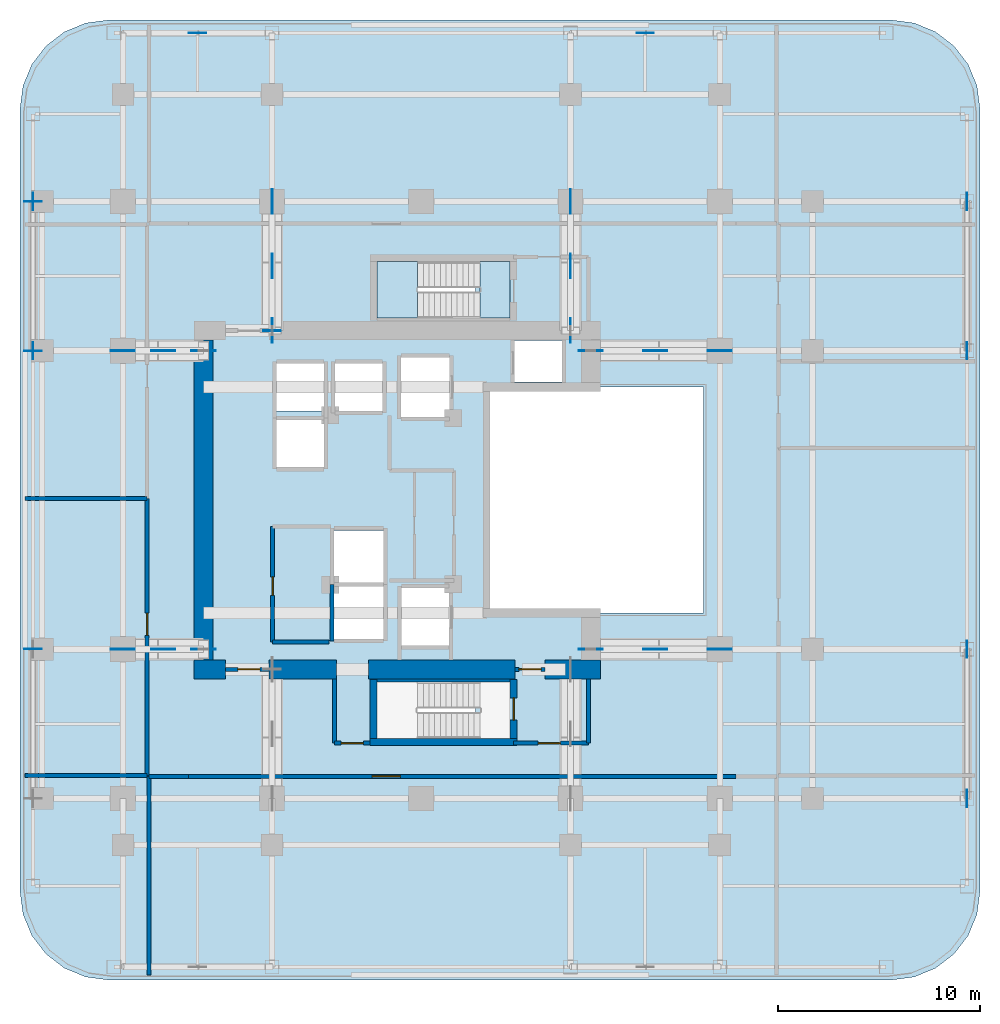
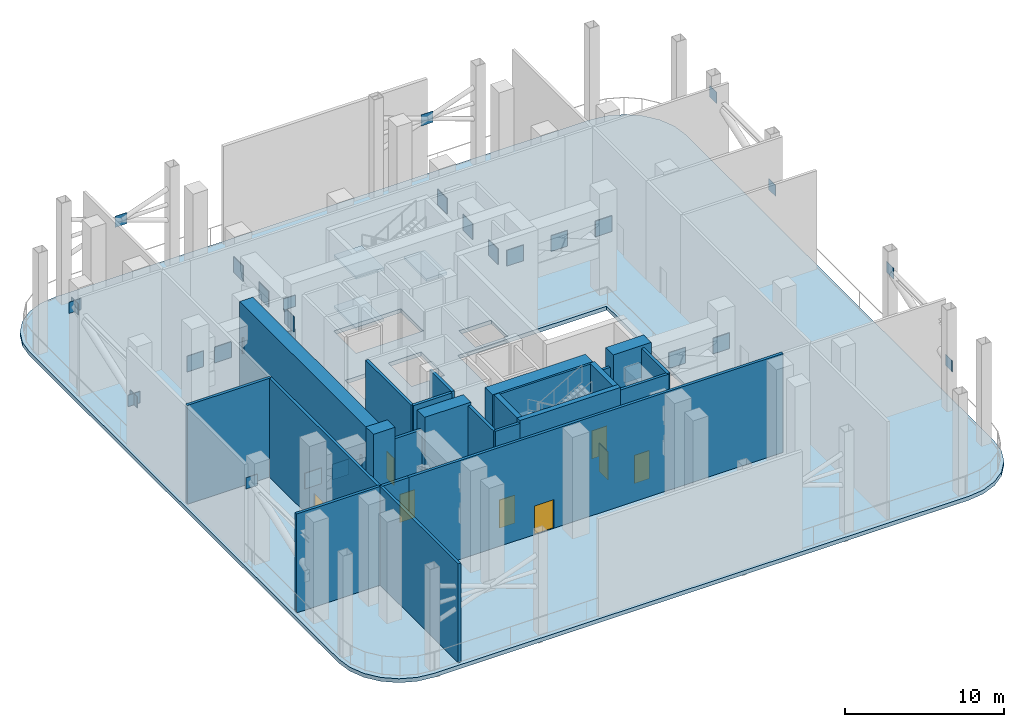
# One storey, part 4 of 10: 31 plates, 24 walls, 8 doors, 4 slabs, 8 openings, 1 element without a shape of its own.
"""IFC4 building model written with IfcOpenShell, lengths in metres."""

import ifcopenshell
import ifcopenshell.guid

model = None  # the IFC model being written
_history = None  # IfcOwnerHistory: only IFC2X3 demands one
_inside = {}  # id of a spatial element -> (the spatial element, [elements in it])
_under = {}  # id of a project, library or spatial element -> (it, [spatial elements below it])
_declared = {}  # id of a project -> (the project, [libraries it declares])
_typed = {}  # id of a type object -> (the type object, [elements of that type])
_made_of = {}  # id of a material, layer set ... -> (it, [elements and type objects made of it])


def new_model(schema):
    """Start an empty IFC model of exactly this schema.

    Asked for "IFC4X3", IfcOpenShell would pick the latest addendum, in which some entities
    have other attributes; the version numbers below select the first issue.
    IFC2X3 requires an IfcOwnerHistory on every rooted entity: one is made here for all.
    """
    global model, _history
    if schema == "IFC4X3":
        model = ifcopenshell.file(schema_version=(4, 3, 0, 0))
    else:
        model = ifcopenshell.file(schema=schema)
    _inside.clear()
    _under.clear()
    _declared.clear()
    _typed.clear()
    _made_of.clear()
    _history = None
    if model.schema == "IFC2X3":
        org = make("IfcOrganization", Name="unknown")
        user = make(
            "IfcPersonAndOrganization",
            ThePerson=make("IfcPerson", FamilyName="unknown"),
            TheOrganization=org,
        )
        app = make(
            "IfcApplication",
            ApplicationDeveloper=org,
            Version="unknown",
            ApplicationFullName="unknown",
            ApplicationIdentifier="unknown",
        )
        _history = make(
            "IfcOwnerHistory",
            OwningUser=user,
            OwningApplication=app,
            ChangeAction="ADDED",
            CreationDate=0,
        )
    return model


def make(cls, **values):
    """One entity of the class cls with the attributes given. An attribute that is None is left unset."""
    return model.create_entity(
        cls, **{name: value for name, value in values.items() if value is not None}
    )


def rooted(cls, **values):
    """An entity with a GlobalId (a new one), such as an element, a storey or a relation."""
    return make(cls, GlobalId=ifcopenshell.guid.new(), OwnerHistory=_history, **values)


def si_unit(unit_type, name, prefix=None):
    """IfcSIUnit, for example si_unit("LENGTHUNIT", "METRE", prefix="MILLI")."""
    return make("IfcSIUnit", UnitType=unit_type, Prefix=prefix, Name=name)


def assignment(units):
    """IfcUnitAssignment: the units of a project."""
    return None if units is None else make("IfcUnitAssignment", Units=units)


def point(xyz):
    """IfcCartesianPoint."""
    return None if xyz is None else make("IfcCartesianPoint", Coordinates=xyz)


def direction(xyz):
    """IfcDirection."""
    return None if xyz is None else make("IfcDirection", DirectionRatios=xyz)


def frame(location, z_axis=None, x_axis=None):
    """IfcAxis2Placement3D, a coordinate frame: its origin and axes. An axis left out is left unset."""
    return make(
        "IfcAxis2Placement3D",
        Location=point(location),
        Axis=direction(z_axis),
        RefDirection=direction(x_axis),
    )


def frame_2d(location, x_axis=None):
    """IfcAxis2Placement2D, a coordinate frame in the plane: its origin and x axis."""
    return make(
        "IfcAxis2Placement2D", Location=point(location), RefDirection=direction(x_axis)
    )


def origin():
    """The frame at (0, 0, 0) with its axes left unset."""
    return frame((0.0, 0.0, 0.0))


def origin_2d():
    """The frame at (0, 0) in the plane with its x axis left unset."""
    return frame_2d((0.0, 0.0))


def place(relative_to, where):
    """IfcLocalPlacement: puts the frame where relative to a parent placement (None: the world)."""
    return make(
        "IfcLocalPlacement", PlacementRelTo=relative_to, RelativePlacement=where
    )


def context(
    kind, dimensions, precision=None, world=None, true_north=None, identifier=None
):
    """IfcGeometricRepresentationContext, for example the 3D "Model" context."""
    return make(
        "IfcGeometricRepresentationContext",
        ContextIdentifier=identifier,
        ContextType=kind,
        CoordinateSpaceDimension=dimensions,
        Precision=precision,
        WorldCoordinateSystem=world,
        TrueNorth=true_north,
    )


def subcontext(parent, identifier, kind, view, scale=None):
    """IfcGeometricRepresentationSubContext, for example "Body" below "Model"."""
    return make(
        "IfcGeometricRepresentationSubContext",
        ContextIdentifier=identifier,
        ContextType=kind,
        ParentContext=parent,
        TargetScale=scale,
        TargetView=view,
    )


def project(units=None, contexts=None):
    """IfcProject with its units and contexts."""
    return rooted(
        "IfcProject",
        Name="project",
        RepresentationContexts=contexts,
        UnitsInContext=assignment(units),
    )


def spatial(cls, under=None, at=None, **own):
    """A site, building, storey or space (cls), placed at a placement, below another one or the project."""
    s = rooted(cls, ObjectPlacement=at, **own)
    if under is not None:
        _under.setdefault(under.id(), (under, []))[1].append(s)
    return s


def polyline(points):
    """IfcPolyline through the points."""
    return make("IfcPolyline", Points=[point(p) for p in points])


def profile(cls, at=None, kind="AREA", **sizes):
    """A parametric profile (cls). Its sizes go by their IFC names, for example OverallWidth=200.0."""
    return make(cls, ProfileType=kind, Position=at, **sizes)


def rectangle(**sizes):
    """IfcRectangleProfileDef."""
    return profile("IfcRectangleProfileDef", **sizes)


def outline(outer, holes=None, kind="AREA"):
    """IfcArbitraryClosedProfileDef: a profile drawn as a closed curve; with holes, ...WithVoids."""
    if holes is None:
        return make("IfcArbitraryClosedProfileDef", ProfileType=kind, OuterCurve=outer)
    return make(
        "IfcArbitraryProfileDefWithVoids",
        ProfileType=kind,
        OuterCurve=outer,
        InnerCurves=holes,
    )


def extrude(swept, where, along, depth):
    """IfcExtrudedAreaSolid: the profile swept, set in the frame where, extruded along a direction by depth."""
    return make(
        "IfcExtrudedAreaSolid",
        SweptArea=swept,
        Position=where,
        ExtrudedDirection=direction(along),
        Depth=depth,
    )


def shape(context_of_items, identifier, shape_type, items):
    """IfcShapeRepresentation: the items that make up one representation, for example the "Body"."""
    return make(
        "IfcShapeRepresentation",
        ContextOfItems=context_of_items,
        RepresentationIdentifier=identifier,
        RepresentationType=shape_type,
        Items=items,
    )


def material(Name=None, Category=None):
    """IfcMaterial."""
    return make("IfcMaterial", Name=Name, Category=Category)


def layer(
    of_material, thickness, ventilated=None, Name=None, Category=None, Priority=None
):
    """IfcMaterialLayer: one layer of a wall or slab, of a material (None: an air gap)."""
    return make(
        "IfcMaterialLayer",
        Material=of_material,
        LayerThickness=thickness,
        IsVentilated=ventilated,
        Name=Name,
        Category=Category,
        Priority=Priority,
    )


def layer_set(layers, Name=None):
    """IfcMaterialLayerSet."""
    return make("IfcMaterialLayerSet", MaterialLayers=layers, LayerSetName=Name)


def made_of(thing, what):
    """Note that an element or type object is made of a material, layer set ...; save() writes the relation."""
    if what is not None:
        _made_of.setdefault(what.id(), (what, []))[1].append(thing)
    return thing


def type_object(cls, material=None, **own):
    """A type object (cls), such as IfcWallType, which elements share."""
    return made_of(rooted(cls, **own), material)


def element(
    cls,
    number,
    at=None,
    inside=None,
    cuts=None,
    type_object=None,
    material=None,
    context=None,
    identifier="Body",
    shape_type=None,
    held_by="IfcProductDefinitionShape",
    body=None,
    shapes=None,
    **own,
):
    """One element of the class cls, such as IfcWall. Its Tag is "e" and its number.

    at: its placement. inside: the storey or other place that contains it. cuts: it is an
    opening in that element (IfcRelVoidsElement). A single representation is given by context,
    identifier, shape_type and body (its items); several are given by shapes. held_by: the class
    of the entity that holds the representations. save() writes the other relations.
    """
    e = rooted(cls, Tag="e%d" % number, ObjectPlacement=at, **own)
    if body is not None:
        shapes = [shape(context, identifier, shape_type, body)]
    if shapes is not None:
        e.Representation = make(held_by, Representations=shapes)
    if inside is not None:
        _inside.setdefault(inside.id(), (inside, []))[1].append(e)
    if cuts is not None:
        rooted(
            "IfcRelVoidsElement", RelatingBuildingElement=cuts, RelatedOpeningElement=e
        )
    if type_object is not None:
        _typed.setdefault(type_object.id(), (type_object, []))[1].append(e)
    return made_of(e, material)


def fill(opening, filler):
    """IfcRelFillsElement: the door or window that sits in an opening."""
    return rooted(
        "IfcRelFillsElement",
        RelatingOpeningElement=opening,
        RelatedBuildingElement=filler,
    )


def aggregate(whole, parts):
    """IfcRelAggregates: a whole, such as a stair, and the parts it consists of."""
    return rooted("IfcRelAggregates", RelatingObject=whole, RelatedObjects=parts)


def save(model, path):
    """Write the relations noted so far, then the file.

    IfcRelAggregates (storeys below a building ...), IfcRelContainedInSpatialStructure (elements
    in a storey), IfcRelDefinesByType, IfcRelAssociatesMaterial and IfcRelDeclares: one each for
    every whole, place, type object, material and project.
    """
    for whole, parts in _under.values():
        aggregate(whole, parts)
    for where, things in _inside.values():
        rooted(
            "IfcRelContainedInSpatialStructure",
            RelatedElements=things,
            RelatingStructure=where,
        )
    for kind, things in _typed.values():
        rooted("IfcRelDefinesByType", RelatedObjects=things, RelatingType=kind)
    for what, things in _made_of.values():
        rooted("IfcRelAssociatesMaterial", RelatedObjects=things, RelatingMaterial=what)
    for by, libraries in _declared.values():
        rooted("IfcRelDeclares", RelatingContext=by, RelatedDefinitions=libraries)
    model.write(path)


model = new_model("IFC4")

# Units and contexts
model_context = context("Model", 3, precision=1e-05, world=origin(), true_north=direction((0.0, 1.0)))
body_context = subcontext(model_context, "Body", "Model", "MODEL_VIEW")
ifc_project = project(units=[si_unit("LENGTHUNIT", "METRE"), si_unit("AREAUNIT", "SQUARE_METRE"), si_unit("VOLUMEUNIT", "CUBIC_METRE"), si_unit("PLANEANGLEUNIT", "RADIAN"), si_unit("MASSUNIT", "GRAM", prefix="KILO")], contexts=[model_context])

# Site, building, storey
site_placement = place(None, origin())
site = spatial("IfcSite", under=ifc_project, at=site_placement, CompositionType="ELEMENT")
building_placement = place(site_placement, origin())
building = spatial("IfcBuilding", under=site, at=building_placement, Name="Khorvyn Point Tower", CompositionType="ELEMENT")
storey_placement = place(building_placement, frame((0.0, 0.0, 156.300048828125)))
storey = spatial("IfcBuildingStorey", under=building, at=storey_placement, Name="L39", CompositionType="ELEMENT", Elevation=156.300048828125)

# Stair, slabs
ifc_material_1 = material(Name="Concrete C40/50", Category="concrete")
stair_type = type_object("IfcStairType", Name="Tower Concrete C40/50 Dogleg Exit Stair", PredefinedType="HALF_TURN_STAIR", material=ifc_material_1)
stair_placement = place(storey_placement, origin())
stair = element("IfcStair", 1, at=stair_placement, inside=storey, type_object=stair_type, Name="L39 Tower Smokeproof Exit Stair North", PredefinedType="HALF_TURN_STAIR")
ifc_layer_1 = layer(ifc_material_1, 0.199951171875)
ifc_layer_set_1 = layer_set([ifc_layer_1], Name="Concrete C40/50 Stair Landing Slab 200")
slab_type_1 = type_object("IfcSlabType", Name="Concrete C40/50 Stair Landing Slab 200", PredefinedType="LANDING", material=ifc_layer_set_1)
slab_1_placement = place(storey_placement, frame((0.0, 0.0, 1.75)))
slab_1 = element("IfcSlab", 2, at=slab_1_placement, type_object=slab_type_1, Name="ST-02 landing 1", PredefinedType="LANDING", context=body_context, shape_type="SweptSolid", body=[
    extrude(outline(polyline([(-0.179931640625, 11.820068359375), (-2.199951171875, 11.820068359375), (-2.199951171875, 9.02001953125), (-0.179931640625, 9.02001953125), (-0.179931640625, 11.820068359375)])), origin(), (0.0, 0.0, 1.0), 0.199951171875),
])
slab_2_placement = place(storey_placement, frame((0.0, 0.0, 3.699951171875)))
slab_2 = element("IfcSlab", 3, at=slab_2_placement, type_object=slab_type_1, Name="ST-02 landing 2", PredefinedType="LANDING", context=body_context, shape_type="SweptSolid", body=[
    extrude(outline(polyline([(4.39990234375, 11.820068359375), (2.89990234375, 11.820068359375), (2.89990234375, 9.02001953125), (4.39990234375, 9.02001953125), (4.39990234375, 11.820068359375)])), origin(), (0.0, 0.0, 1.0), 0.199951171875),
])
slab_3_placement = place(storey_placement, frame((0.0, 0.0, 5.64990234375)))
slab_3 = element("IfcSlab", 4, at=slab_3_placement, type_object=slab_type_1, Name="ST-02 landing 3", PredefinedType="LANDING", context=body_context, shape_type="SweptSolid", body=[
    extrude(outline(polyline([(-0.179931640625, 11.820068359375), (-2.199951171875, 11.820068359375), (-2.199951171875, 9.02001953125), (-0.179931640625, 9.02001953125), (-0.179931640625, 11.820068359375)])), origin(), (0.0, 0.0, 1.0), 0.199951171875),
])
aggregate(stair, [slab_1, slab_2, slab_3])

# Slab
ifc_layer_2 = layer(ifc_material_1, 0.300048828125)
ifc_layer_set_2 = layer_set([ifc_layer_2], Name="Concrete C40/50 Structural Floor Slab 300")
slab_type_2 = type_object("IfcSlabType", Name="Concrete C40/50 Structural Floor Slab 300", PredefinedType="FLOOR", material=ifc_layer_set_2)
slab_4_placement = place(storey_placement, frame((0.0, 0.0, -0.300048828125)))
element("IfcSlab", 5, at=slab_4_placement, inside=storey, type_object=slab_type_2, Name="L39 Main Structural Floor Slab", PredefinedType="FLOOR", context=body_context, shape_type="SweptSolid", body=[
    extrude(outline(polyline([(-15.5, -23.800048828125), (-16.638916015625, -23.650146484375), (-17.699951171875, -23.21044921875), (-18.611328125, -22.51123046875), (-19.310546875, -21.60009765625), (-19.75, -20.538818359375), (-19.89990234375, -19.39990234375), (-19.89990234375, 19.39990234375), (-19.75, 20.538818359375), (-19.310546875, 21.60009765625), (-18.611328125, 22.51123046875), (-17.699951171875, 23.21044921875), (-16.638916015625, 23.650146484375), (-15.5, 23.800048828125), (23.300048828125, 23.800048828125), (24.438720703125, 23.650146484375), (25.5, 23.21044921875), (26.411376953125, 22.51123046875), (27.110595703125, 21.60009765625), (27.550048828125, 20.538818359375), (27.699951171875, 19.39990234375), (27.699951171875, -19.39990234375), (27.550048828125, -20.538818359375), (27.110595703125, -21.60009765625), (26.411376953125, -22.51123046875), (25.5, -23.21044921875), (24.438720703125, -23.650146484375), (23.300048828125, -23.800048828125), (-15.5, -23.800048828125)]), holes=[polyline([(-1.875, -6.89990234375), (-1.875, -4.300048828125), (-4.324951171875, -4.300048828125), (-4.324951171875, -6.89990234375), (-1.875, -6.89990234375)]), polyline([(-1.875, -4.10009765625), (-1.875, -1.5), (-4.324951171875, -1.5), (-4.324951171875, -4.10009765625), (-1.875, -4.10009765625)]), polyline([(-4.824951171875, 1.625), (-4.824951171875, 3.97509765625), (-7.175048828125, 3.97509765625), (-7.175048828125, 1.625), (-4.824951171875, 1.625)]), polyline([(-7.175048828125, 4.425048828125), (-4.824951171875, 4.425048828125), (-4.824951171875, 6.77490234375), (-7.175048828125, 6.77490234375), (-7.175048828125, 4.425048828125)]), polyline([(-4.27490234375, 4.425048828125), (-1.925048828125, 4.425048828125), (-1.925048828125, 6.77490234375), (-4.27490234375, 6.77490234375), (-4.27490234375, 4.425048828125)]), polyline([(1.39990234375, 4.125), (1.39990234375, 7.074951171875), (-1.0, 7.074951171875), (-1.0, 4.125), (1.39990234375, 4.125)]), polyline([(-2.199951171875, -11.820068359375), (2.679931640625, -11.820068359375), (2.679931640625, -9.02001953125), (-2.199951171875, -9.02001953125), (-2.199951171875, -11.820068359375)]), polyline([(-0.97509765625, -7.22509765625), (1.375, -7.22509765625), (1.375, -4.375), (-0.97509765625, -4.375), (-0.97509765625, -7.22509765625)]), polyline([(14.0, -5.60009765625), (14.0, 5.60009765625), (3.199951171875, 5.60009765625), (3.199951171875, -5.60009765625), (14.0, -5.60009765625)]), polyline([(4.625, 5.85009765625), (6.97509765625, 5.85009765625), (6.97509765625, 7.905029296875), (4.625, 7.905029296875), (4.625, 5.85009765625)]), polyline([(-2.199951171875, 9.02001953125), (2.679931640625, 9.02001953125), (2.679931640625, 11.820068359375), (-2.199951171875, 11.820068359375), (-2.199951171875, 9.02001953125)])]), origin(), (0.0, 0.0, 1.0), 0.300048828125),
])

# Plates
ifc_material_2 = material(Name="Steel S450", Category="steel")
ifc_layer_3 = layer(ifc_material_2, 0.031982421875)
ifc_layer_set_3 = layer_set([ifc_layer_3], Name="Steel S450 Exoskeleton End Cap Plate 32")
plate_type_1 = type_object("IfcPlateType", Name="Steel S450 Exoskeleton End Cap Plate 32", PredefinedType="USERDEFINED", material=ifc_layer_set_3)
for number, where, z_axis, x_axis, name in (
    (6, (-11.10009765625, 23.14990234375, 4.3349609375), (0.0, 0.0, 1.0), (1.0, 0.0, 0.0), "NP-BT-L39-N1-M"),
    (7, (11.10009765625, 23.14990234375, 4.3349609375), (0.0, 0.0, 1.0), (1.0, 0.0, 0.0), "NP-BT-L39-N2-M"),
):
    element("IfcPlate", number, at=place(storey_placement, frame(where, z_axis=z_axis, x_axis=x_axis)), inside=storey, type_object=plate_type_1, Name=name, ObjectType="GUSSET", PredefinedType="USERDEFINED", context=body_context, shape_type="SweptSolid", body=[
        extrude(rectangle(XDim=0.860107421875, YDim=0.031982421875, at=origin_2d()), origin(), (0.0, 0.0, 1.0), 0.860107421875),
    ])
for number, where, z_axis, x_axis, name in (
    (8, (27.050048828125, -7.39990234375, 5.64990234375), (0.0, 0.0, 1.0), (1.0, 0.0, 0.0), "NP-EXO-L39-E1"),
    (9, (27.050048828125, -14.800048828125, 3.02001953125), (0.0, 0.0, 1.0), (1.0, 0.0, 0.0), "NP-EXO-BOT-L39-E1"),
    (10, (-19.25, 14.800048828125, 5.64990234375), (0.0, 0.0, 1.0), (1.0, 0.0, 0.0), "NP-EXO-L39-W2"),
    (11, (-19.25, 7.39990234375, 3.02001953125), (0.0, 0.0, 1.0), (1.0, 0.0, 0.0), "NP-EXO-BOT-L39-W2"),
    (12, (27.050048828125, 14.800048828125, 5.64990234375), (0.0, 0.0, 1.0), (1.0, 0.0, 0.0), "NP-EXO-L39-E2"),
    (13, (27.050048828125, 7.39990234375, 3.02001953125), (0.0, 0.0, 1.0), (1.0, 0.0, 0.0), "NP-EXO-BOT-L39-E2"),
):
    element("IfcPlate", number, at=place(storey_placement, frame(where, z_axis=z_axis, x_axis=x_axis)), inside=storey, type_object=plate_type_1, Name=name, ObjectType="GUSSET", PredefinedType="USERDEFINED", context=body_context, shape_type="SweptSolid", body=[
        extrude(rectangle(XDim=0.031982421875, YDim=0.860107421875, at=origin_2d()), origin(), (0.0, 0.0, 1.0), 0.860107421875),
    ])
for number, where, z_axis, x_axis, name in (
    (14, (-7.39990234375, 8.389892578125, 3.02001953125), (0.0, 0.0, 1.0), (1.0, 0.0, 0.0), "Plate"),
    (15, (-7.39990234375, 8.389892578125, 5.64990234375), (0.0, 0.0, 1.0), (1.0, 0.0, 0.0), "Plate"),
    (16, (-19.25, -7.390625, 5.6533203125), (0.0, 0.0, 1.0), (1.0, 0.0, 0.0), "Plate"),
    (17, (-19.25, 7.390625, 3.0166015625), (0.0, 0.0, 1.0), (1.0, 0.0, 0.0), "Plate"),
    (18, (-19.25, 14.809326171875, 5.6533203125), (0.0, 0.0, 1.0), (1.0, 0.0, 0.0), "Plate"),
):
    element("IfcPlate", number, at=place(storey_placement, frame(where, z_axis=z_axis, x_axis=x_axis)), inside=storey, type_object=plate_type_1, Name=name, ObjectType="GUSSET", PredefinedType="USERDEFINED", context=body_context, shape_type="SweptSolid", body=[
        extrude(rectangle(XDim=0.860107421875, YDim=0.031982421875, at=origin_2d()), origin(), (0.0, 0.0, 1.0), 0.860107421875),
    ])
ifc_layer_4 = layer(ifc_material_2, 0.0400390625)
ifc_layer_set_4 = layer_set([ifc_layer_4], Name="Steel S450 Outrigger Gusset Node Plate 40")
plate_type_2 = type_object("IfcPlateType", Name="Steel S450 Outrigger Gusset Node Plate 40", PredefinedType="USERDEFINED", material=ifc_layer_set_4)
for number, where, z_axis, x_axis, name in (
    (19, (-14.800048828125, -7.39990234375, 4.1650390625), (0.0, 0.0, 1.0), (1.0, 0.0, 0.0), "NP-OT-L39-WS"),
    (20, (-10.800048828125, -7.39990234375, 4.1650390625), (0.0, 0.0, 1.0), (1.0, 0.0, 0.0), "NP-OT-IN-L39-WS"),
    (21, (-12.800048828125, -7.39990234375, 4.1650390625), (0.0, 0.0, 1.0), (1.0, 0.0, 0.0), "NP-OT-MID-L39-WS"),
    (22, (-14.800048828125, 7.39990234375, 4.1650390625), (0.0, 0.0, 1.0), (1.0, 0.0, 0.0), "NP-OT-L39-WN"),
    (23, (-10.800048828125, 7.39990234375, 4.1650390625), (0.0, 0.0, 1.0), (1.0, 0.0, 0.0), "NP-OT-IN-L39-WN"),
    (24, (-12.800048828125, 7.39990234375, 4.1650390625), (0.0, 0.0, 1.0), (1.0, 0.0, 0.0), "NP-OT-MID-L39-WN"),
    (25, (14.800048828125, -7.39990234375, 4.1650390625), (0.0, 0.0, 1.0), (1.0, 0.0, 0.0), "NP-OT-L39-ES"),
    (26, (8.39990234375, -7.39990234375, 4.1650390625), (0.0, 0.0, 1.0), (1.0, 0.0, 0.0), "NP-OT-IN-L39-ES"),
    (27, (11.60009765625, -7.39990234375, 4.1650390625), (0.0, 0.0, 1.0), (1.0, 0.0, 0.0), "NP-OT-MID-L39-ES"),
    (28, (14.800048828125, 7.39990234375, 4.1650390625), (0.0, 0.0, 1.0), (1.0, 0.0, 0.0), "NP-OT-L39-EN"),
    (29, (8.39990234375, 7.39990234375, 4.1650390625), (0.0, 0.0, 1.0), (1.0, 0.0, 0.0), "NP-OT-IN-L39-EN"),
    (30, (11.60009765625, 7.39990234375, 4.1650390625), (0.0, 0.0, 1.0), (1.0, 0.0, 0.0), "NP-OT-MID-L39-EN"),
):
    element("IfcPlate", number, at=place(storey_placement, frame(where, z_axis=z_axis, x_axis=x_axis)), inside=storey, type_object=plate_type_2, Name=name, ObjectType="GUSSET", PredefinedType="USERDEFINED", context=body_context, shape_type="SweptSolid", body=[
        extrude(rectangle(XDim=1.199951171875, YDim=0.0400390625, at=origin_2d()), origin(), (0.0, 0.0, 1.0), 1.199951171875),
    ])
for number, where, z_axis, x_axis, name in (
    (31, (-7.39990234375, 14.800048828125, 4.1650390625), (0.0, 0.0, 1.0), (1.0, 0.0, 0.0), "NP-OT-L39-NW"),
    (32, (-7.39990234375, 8.39990234375, 4.1650390625), (0.0, 0.0, 1.0), (1.0, 0.0, 0.0), "NP-OT-IN-L39-NW"),
    (33, (-7.39990234375, 11.60009765625, 4.1650390625), (0.0, 0.0, 1.0), (1.0, 0.0, 0.0), "NP-OT-MID-L39-NW"),
    (34, (7.39990234375, 14.800048828125, 4.1650390625), (0.0, 0.0, 1.0), (1.0, 0.0, 0.0), "NP-OT-L39-NE"),
    (35, (7.39990234375, 8.39990234375, 4.1650390625), (0.0, 0.0, 1.0), (1.0, 0.0, 0.0), "NP-OT-IN-L39-NE"),
    (36, (7.39990234375, 11.60009765625, 4.1650390625), (0.0, 0.0, 1.0), (1.0, 0.0, 0.0), "NP-OT-MID-L39-NE"),
):
    element("IfcPlate", number, at=place(storey_placement, frame(where, z_axis=z_axis, x_axis=x_axis)), inside=storey, type_object=plate_type_2, Name=name, ObjectType="GUSSET", PredefinedType="USERDEFINED", context=body_context, shape_type="SweptSolid", body=[
        extrude(rectangle(XDim=0.0400390625, YDim=1.199951171875, at=origin_2d()), origin(), (0.0, 0.0, 1.0), 1.199951171875),
    ])

# Wall, opening, door
ifc_layer_5 = layer(ifc_material_1, 0.199951171875)
ifc_layer_set_5 = layer_set([ifc_layer_5], Name="Concrete C40/50 Fire-Lobby Compartment Wall 200")
wall_type_1 = type_object("IfcWallType", Name="Concrete C40/50 Fire-Lobby Compartment Wall 200", PredefinedType="SOLIDWALL", material=ifc_layer_set_5)
wall_1_placement = place(storey_placement, frame((4.580078125, -12.06005859375, 0.0), z_axis=(0.0, 0.0, 1.0), x_axis=(1.0, 0.0, 0.0)))
wall_1 = element("IfcWall", 37, at=wall_1_placement, inside=storey, type_object=wall_type_1, Name="Wall", PredefinedType="SOLIDWALL", context=body_context, shape_type="SweptSolid", body=[
    extrude(rectangle(XDim=3.699951171875, YDim=0.199951171875, at=frame_2d((1.85009765625, 0.0))), origin(), (0.0, 0.0, 1.0), 7.579833984375),
])
opening_1_placement = place(wall_1_placement, frame((1.21240234375, 0.0, 0.0)))
opening_1 = element("IfcOpeningElement", 38, at=opening_1_placement, cuts=wall_1, Name="Opening ID-FL90", PredefinedType="OPENING", context=body_context, shape_type="SweptSolid", body=[
    extrude(rectangle(XDim=1.10009765625, YDim=2.14990234375, at=frame_2d((0.550048828125, 1.074951171875))), frame((0.0, 0.10986328125, 0.0), z_axis=(0.0, -1.0, 0.0), x_axis=(1.0, 0.0, 0.0)), (0.0, 0.0, 1.0), 0.219970703125),
])
ifc_material_3 = material(Name="Galvanised powder-coated steel", Category="steel")
door_type_1 = type_object("IfcDoorType", Name="Fire-Rated Steel Lobby and Stair Door 1100x2150", OperationType="NOTDEFINED", PredefinedType="DOOR", material=ifc_material_3)
door_1_placement = place(opening_1_placement, origin())
door_1 = element("IfcDoor", 39, at=door_1_placement, inside=storey, type_object=door_type_1, Name="Door", OperationType="SINGLE_SWING_LEFT", OverallHeight=2.14990234375, OverallWidth=1.10009765625, PredefinedType="DOOR", context=body_context, shape_type="SweptSolid", body=[
    extrude(rectangle(XDim=1.10009765625, YDim=2.14990234375, at=frame_2d((0.550048828125, 1.074951171875))), frame((0.0, 0.02490234375, 0.0), z_axis=(0.0, -1.0, 0.0), x_axis=(1.0, 0.0, 0.0)), (0.0, 0.0, 1.0), 0.050048828125),
])
fill(opening_1, door_1)

wall_2_placement = place(storey_placement, frame((4.64990234375, -8.39990234375, 0.0), z_axis=(0.0, 0.0, 1.0), x_axis=(1.0, 0.0, 0.0)))
wall_2 = element("IfcWall", 40, at=wall_2_placement, inside=storey, type_object=wall_type_1, Name="Wall", PredefinedType="SOLIDWALL", context=body_context, shape_type="SweptSolid", body=[
    extrude(rectangle(XDim=1.47021484375, YDim=0.199951171875, at=frame_2d((0.735107421875, 0.0))), origin(), (0.0, 0.0, 1.0), 6.619873046875),
])
opening_2_placement = place(wall_2_placement, frame((0.18505859375, 0.0, 0.0)))
opening_2 = element("IfcOpeningElement", 41, at=opening_2_placement, cuts=wall_2, Name="Opening ID-FL90", PredefinedType="OPENING", context=body_context, shape_type="SweptSolid", body=[
    extrude(rectangle(XDim=1.10009765625, YDim=2.14990234375, at=frame_2d((0.550048828125, 1.074951171875))), frame((0.0, 0.10986328125, 0.0), z_axis=(0.0, -1.0, 0.0), x_axis=(1.0, 0.0, 0.0)), (0.0, 0.0, 1.0), 0.219970703125),
])
door_2_placement = place(opening_2_placement, origin())
door_2 = element("IfcDoor", 42, at=door_2_placement, inside=storey, type_object=door_type_1, Name="Door", OperationType="SINGLE_SWING_RIGHT", OverallHeight=2.14990234375, OverallWidth=1.10009765625, PredefinedType="DOOR", context=body_context, shape_type="SweptSolid", body=[
    extrude(rectangle(XDim=1.10009765625, YDim=2.14990234375, at=frame_2d((0.550048828125, 1.074951171875))), frame((0.0, 0.02490234375, 0.0), z_axis=(0.0, -1.0, 0.0), x_axis=(1.0, 0.0, 0.0)), (0.0, 0.0, 1.0), 0.050048828125),
])
fill(opening_2, door_2)

wall_3_placement = place(storey_placement, frame((-9.699951171875, -8.39990234375, 0.0), z_axis=(0.0, 0.0, 1.0), x_axis=(1.0, 0.0, 0.0)))
wall_3 = element("IfcWall", 43, at=wall_3_placement, inside=storey, type_object=wall_type_1, Name="Wall", PredefinedType="SOLIDWALL", context=body_context, shape_type="SweptSolid", body=[
    extrude(rectangle(XDim=2.14990234375, YDim=0.199951171875, at=frame_2d((1.074951171875, 0.0))), origin(), (0.0, 0.0, 1.0), 6.619873046875),
])
opening_3_placement = place(wall_3_placement, frame((0.597900390625, 0.0, 0.0)))
opening_3 = element("IfcOpeningElement", 44, at=opening_3_placement, cuts=wall_3, Name="Opening ID-FL90", PredefinedType="OPENING", context=body_context, shape_type="SweptSolid", body=[
    extrude(rectangle(XDim=1.10009765625, YDim=2.14990234375, at=frame_2d((0.550048828125, 1.074951171875))), frame((0.0, 0.10986328125, 0.0), z_axis=(0.0, -1.0, 0.0), x_axis=(1.0, 0.0, 0.0)), (0.0, 0.0, 1.0), 0.219970703125),
])
door_3_placement = place(opening_3_placement, origin())
door_3 = element("IfcDoor", 45, at=door_3_placement, inside=storey, type_object=door_type_1, Name="Door", OperationType="SINGLE_SWING_RIGHT", OverallHeight=2.14990234375, OverallWidth=1.10009765625, PredefinedType="DOOR", context=body_context, shape_type="SweptSolid", body=[
    extrude(rectangle(XDim=1.10009765625, YDim=2.14990234375, at=frame_2d((0.550048828125, 1.074951171875))), frame((0.0, 0.02490234375, 0.0), z_axis=(0.0, -1.0, 0.0), x_axis=(1.0, 0.0, 0.0)), (0.0, 0.0, 1.0), 0.050048828125),
])
fill(opening_3, door_3)

wall_4_placement = place(storey_placement, frame((-4.300048828125, -12.06005859375, 0.0), z_axis=(0.0, 0.0, 1.0), x_axis=(1.0, 0.0, 0.0)))
wall_4 = element("IfcWall", 46, at=wall_4_placement, inside=storey, type_object=wall_type_1, Name="Wall", PredefinedType="SOLIDWALL", context=body_context, shape_type="SweptSolid", body=[
    extrude(rectangle(XDim=1.75, YDim=0.199951171875, at=frame_2d((0.875, 0.0))), origin(), (0.0, 0.0, 1.0), 7.579833984375),
])
opening_4_placement = place(wall_4_placement, frame((0.324951171875, 0.0, 0.0)))
opening_4 = element("IfcOpeningElement", 47, at=opening_4_placement, cuts=wall_4, Name="Opening ID-FL90", PredefinedType="OPENING", context=body_context, shape_type="SweptSolid", body=[
    extrude(rectangle(XDim=1.10009765625, YDim=2.14990234375, at=frame_2d((0.550048828125, 1.074951171875))), frame((0.0, 0.10986328125, 0.0), z_axis=(0.0, -1.0, 0.0), x_axis=(1.0, 0.0, 0.0)), (0.0, 0.0, 1.0), 0.219970703125),
])
door_4_placement = place(opening_4_placement, origin())
door_4 = element("IfcDoor", 48, at=door_4_placement, inside=storey, type_object=door_type_1, Name="Door", OperationType="SINGLE_SWING_RIGHT", OverallHeight=2.14990234375, OverallWidth=1.10009765625, PredefinedType="DOOR", context=body_context, shape_type="SweptSolid", body=[
    extrude(rectangle(XDim=1.10009765625, YDim=2.14990234375, at=frame_2d((0.550048828125, 1.074951171875))), frame((0.0, 0.02490234375, 0.0), z_axis=(0.0, -1.0, 0.0), x_axis=(1.0, 0.0, 0.0)), (0.0, 0.0, 1.0), 0.050048828125),
])
fill(opening_4, door_4)

wall_5_placement = place(storey_placement, frame((-7.3798828125, -7.0400390625, 0.0), z_axis=(0.0, 0.0, 1.0), x_axis=(0.0, 1.0, 0.0)))
wall_5 = element("IfcWall", 49, at=wall_5_placement, inside=storey, type_object=wall_type_1, Name="Wall", PredefinedType="SOLIDWALL", context=body_context, shape_type="SweptSolid", body=[
    extrude(rectangle(XDim=5.719970703125, YDim=0.199951171875, at=frame_2d((2.85986328125, 0.0))), origin(), (0.0, 0.0, 1.0), 7.579833984375),
])
opening_5_placement = place(wall_5_placement, frame((2.310302734375, 0.0, 0.0)))
opening_5 = element("IfcOpeningElement", 50, at=opening_5_placement, cuts=wall_5, Name="Opening ID-RS60", PredefinedType="OPENING", context=body_context, shape_type="SweptSolid", body=[
    extrude(rectangle(XDim=0.919921875, YDim=2.10009765625, at=frame_2d((0.4599609375, 1.050048828125))), frame((0.0, 0.10986328125, 0.0), z_axis=(0.0, -1.0, 0.0), x_axis=(1.0, 0.0, 0.0)), (0.0, 0.0, 1.0), 0.219970703125),
])
door_type_2 = type_object("IfcDoorType", Name="Fire-Rated Riser and Store Steel Door 920x2100", OperationType="NOTDEFINED", PredefinedType="DOOR", material=ifc_material_3)
door_5_placement = place(opening_5_placement, origin())
door_5 = element("IfcDoor", 51, at=door_5_placement, inside=storey, type_object=door_type_2, Name="Door", OperationType="SINGLE_SWING_LEFT", OverallHeight=2.10009765625, OverallWidth=0.919921875, PredefinedType="DOOR", context=body_context, shape_type="SweptSolid", body=[
    extrude(rectangle(XDim=0.919921875, YDim=2.10009765625, at=frame_2d((0.4599609375, 1.050048828125))), frame((0.0, 0.02490234375, 0.0), z_axis=(0.0, -1.0, 0.0), x_axis=(1.0, 0.0, 0.0)), (0.0, 0.0, 1.0), 0.050048828125),
])
fill(opening_5, door_5)

wall_6_placement = place(storey_placement, frame((-11.550048828125, -13.699951171875, 0.0), z_axis=(0.0, 0.0, 1.0), x_axis=(1.0, 0.0, 0.0)))
wall_6 = element("IfcWall", 52, at=wall_6_placement, inside=storey, type_object=wall_type_1, Name="Wall", PredefinedType="SOLIDWALL", context=body_context, shape_type="SweptSolid", body=[
    extrude(rectangle(XDim=27.150146484375, YDim=0.199951171875, at=frame_2d((13.5751953125, 0.0))), origin(), (0.0, 0.0, 1.0), 7.579833984375),
])
opening_6_placement = place(wall_6_placement, frame((9.1142578125, 0.0, 0.0)))
opening_6 = element("IfcOpeningElement", 53, at=opening_6_placement, cuts=wall_6, Name="Opening ID-PL90", PredefinedType="OPENING", context=body_context, shape_type="SweptSolid", body=[
    extrude(rectangle(XDim=1.39990234375, YDim=2.199951171875, at=frame_2d((0.699951171875, 1.10009765625))), frame((0.0, 0.10986328125, 0.0), z_axis=(0.0, -1.0, 0.0), x_axis=(1.0, 0.0, 0.0)), (0.0, 0.0, 1.0), 0.219970703125),
])
door_type_3 = type_object("IfcDoorType", Name="Double-Leaf Acoustic Steel Plant Room Door 1400x2200", OperationType="DOUBLE_DOOR_SINGLE_SWING", PredefinedType="DOOR", material=ifc_material_3)
door_6_placement = place(opening_6_placement, origin())
door_6 = element("IfcDoor", 54, at=door_6_placement, inside=storey, type_object=door_type_3, Name="Door", OperationType="SINGLE_SWING_LEFT", OverallHeight=2.199951171875, OverallWidth=1.39990234375, PredefinedType="DOOR", context=body_context, shape_type="SweptSolid", body=[
    extrude(rectangle(XDim=1.39990234375, YDim=2.199951171875, at=frame_2d((0.699951171875, 1.10009765625))), frame((0.0, 0.02490234375, 0.0), z_axis=(0.0, -1.0, 0.0), x_axis=(1.0, 0.0, 0.0)), (0.0, 0.0, 1.0), 0.050048828125),
])
fill(opening_6, door_6)

wall_7_placement = place(storey_placement, frame((-13.60009765625, -13.64990234375, 0.0), z_axis=(0.0, 0.0, 1.0), x_axis=(0.0, 1.0, 0.0)))
wall_7 = element("IfcWall", 55, at=wall_7_placement, inside=storey, type_object=wall_type_1, Name="Wall", PredefinedType="SOLIDWALL", context=body_context, shape_type="SweptSolid", body=[
    extrude(rectangle(XDim=13.72998046875, YDim=0.199951171875, at=frame_2d((6.864990234375, 0.0))), origin(), (0.0, 0.0, 1.0), 7.579833984375),
])
opening_7_placement = place(wall_7_placement, frame((6.939453125, 0.0, 0.0)))
opening_7 = element("IfcOpeningElement", 56, at=opening_7_placement, cuts=wall_7, Name="Opening ID-FL90", PredefinedType="OPENING", context=body_context, shape_type="SweptSolid", body=[
    extrude(rectangle(XDim=1.10009765625, YDim=2.14990234375, at=frame_2d((0.550048828125, 1.074951171875))), frame((0.0, 0.10986328125, 0.0), z_axis=(0.0, -1.0, 0.0), x_axis=(1.0, 0.0, 0.0)), (0.0, 0.0, 1.0), 0.219970703125),
])
door_7_placement = place(opening_7_placement, origin())
door_7 = element("IfcDoor", 57, at=door_7_placement, inside=storey, type_object=door_type_1, Name="Door", OperationType="SINGLE_SWING_RIGHT", OverallHeight=2.14990234375, OverallWidth=1.10009765625, PredefinedType="DOOR", context=body_context, shape_type="SweptSolid", body=[
    extrude(rectangle(XDim=1.10009765625, YDim=2.14990234375, at=frame_2d((0.550048828125, 1.074951171875))), frame((0.0, 0.02490234375, 0.0), z_axis=(0.0, -1.0, 0.0), x_axis=(1.0, 0.0, 0.0)), (0.0, 0.0, 1.0), 0.050048828125),
])
fill(opening_7, door_7)

# Walls
for number, where, z_axis, x_axis, name in (
    (58, (8.280029296875, -12.06005859375, 0.0), (0.0, 0.0, 1.0), (0.0, 1.0, 0.0), "Wall"),
    (59, (-4.300048828125, -12.06005859375, 0.0), (0.0, 0.0, 1.0), (0.0, 1.0, 0.0), "Wall"),
):
    element("IfcWall", number, at=place(storey_placement, frame(where, z_axis=z_axis, x_axis=x_axis)), inside=storey, type_object=wall_type_1, Name=name, PredefinedType="SOLIDWALL", context=body_context, shape_type="SweptSolid", body=[
        extrude(rectangle(XDim=3.18505859375, YDim=0.199951171875, at=frame_2d((1.592529296875, 0.0))), origin(), (0.0, 0.0, 1.0), 7.579833984375),
    ])
wall_8_placement = place(storey_placement, frame((-7.3798828125, -7.0400390625, 0.0), z_axis=(0.0, 0.0, 1.0), x_axis=(1.0, 0.0, 0.0)))
element("IfcWall", 60, at=wall_8_placement, inside=storey, type_object=wall_type_1, Name="Wall", PredefinedType="SOLIDWALL", context=body_context, shape_type="SweptSolid", body=[
    extrude(rectangle(XDim=2.7998046875, YDim=0.199951171875, at=frame_2d((1.39990234375, 0.0))), origin(), (0.0, 0.0, 1.0), 7.579833984375),
])
wall_9_placement = place(storey_placement, frame((-13.5, -13.699951171875, 0.0), z_axis=(0.0, 0.0, 1.0), x_axis=(1.0, 0.0, 0.0)))
element("IfcWall", 61, at=wall_9_placement, inside=storey, type_object=wall_type_1, Name="Wall", PredefinedType="SOLIDWALL", context=body_context, shape_type="SweptSolid", body=[
    extrude(rectangle(XDim=1.949951171875, YDim=0.199951171875, at=frame_2d((0.97509765625, 0.0))), origin(), (0.0, 0.0, 1.0), 7.579833984375),
])
wall_10_placement = place(storey_placement, frame((-13.5, -23.550048828125, 0.0), z_axis=(0.0, 0.0, 1.0), x_axis=(0.0, 1.0, 0.0)))
element("IfcWall", 62, at=wall_10_placement, inside=storey, type_object=wall_type_1, Name="Wall", PredefinedType="SOLIDWALL", context=body_context, shape_type="SweptSolid", body=[
    extrude(rectangle(XDim=9.85009765625, YDim=0.199951171875, at=frame_2d((4.925048828125, 0.0))), origin(), (0.0, 0.0, 1.0), 7.579833984375),
])
for number, where, z_axis, x_axis, name in (
    (63, (-19.64990234375, -13.64990234375, 0.0), (0.0, 0.0, 1.0), (1.0, 0.0, 0.0), "Wall"),
    (64, (-19.64990234375, 0.080078125, 0.0), (0.0, 0.0, 1.0), (1.0, 0.0, 0.0), "Wall"),
):
    element("IfcWall", number, at=place(storey_placement, frame(where, z_axis=z_axis, x_axis=x_axis)), inside=storey, type_object=wall_type_1, Name=name, PredefinedType="SOLIDWALL", context=body_context, shape_type="SweptSolid", body=[
        extrude(rectangle(XDim=6.0498046875, YDim=0.199951171875, at=frame_2d((3.02490234375, 0.0))), origin(), (0.0, 0.0, 1.0), 7.579833984375),
    ])
ifc_layer_6 = layer(ifc_material_1, 0.25)
ifc_layer_set_6 = layer_set([ifc_layer_6], Name="Concrete C40/50 Stair Inner Cheek Structural Wall 250")
wall_type_2 = type_object("IfcWallType", Name="Concrete C40/50 Stair Inner Cheek Structural Wall 250", PredefinedType="SHEAR", material=ifc_layer_set_6)
wall_11_placement = place(storey_placement, frame((-2.199951171875, -8.949951171875, 0.0), z_axis=(0.0, 0.0, 1.0), x_axis=(1.0, 0.0, 0.0)))
element("IfcWall", 65, at=wall_11_placement, inside=storey, type_object=wall_type_2, Name="Wall", PredefinedType="SHEAR", context=body_context, shape_type="SweptSolid", body=[
    extrude(rectangle(XDim=6.599853515625, YDim=0.14990234375, at=frame_2d((3.2998046875, 0.0))), origin(), (0.0, 0.0, 1.0), 7.800048828125),
])
ifc_layer_7 = layer(ifc_material_1, 0.35009765625)
ifc_layer_set_7 = layer_set([ifc_layer_7], Name="Concrete C40/50 Stair Shaft Structural Wall 350")
wall_type_3 = type_object("IfcWallType", Name="Concrete C40/50 Stair Shaft Structural Wall 350", PredefinedType="SHEAR", material=ifc_layer_set_7)
wall_12_placement = place(storey_placement, frame((-2.554931640625, -12.0, 0.0), z_axis=(0.0, 0.0, 1.0), x_axis=(1.0, 0.0, 0.0)))
element("IfcWall", 66, at=wall_12_placement, inside=storey, type_object=wall_type_3, Name="L39 ST-01 South Shaft Wall", PredefinedType="SHEAR", context=body_context, shape_type="SweptSolid", body=[
    extrude(rectangle(XDim=7.309814453125, YDim=0.35009765625, at=frame_2d((3.65478515625, 0.0))), origin(), (0.0, 0.0, 1.0), 7.800048828125),
])
wall_13_placement = place(storey_placement, frame((-2.3798828125, -11.824951171875, 0.0), z_axis=(0.0, 0.0, 1.0), x_axis=(0.0, 1.0, 0.0)))
element("IfcWall", 67, at=wall_13_placement, inside=storey, type_object=wall_type_3, Name="L39 ST-01 West Shaft Wall", PredefinedType="SHEAR", context=body_context, shape_type="SweptSolid", body=[
    extrude(rectangle(XDim=2.925048828125, YDim=0.35009765625, at=frame_2d((1.46240234375, 0.0))), origin(), (0.0, 0.0, 1.0), 7.800048828125),
])

# Wall, opening, door
wall_14_placement = place(storey_placement, frame((4.580078125, -8.89990234375, 0.0), z_axis=(0.0, 0.0, 1.0), x_axis=(0.0, -1.0, 0.0)))
wall_14 = element("IfcWall", 68, at=wall_14_placement, inside=storey, type_object=wall_type_3, Name="L39 ST-01 East Landing Door Wall", PredefinedType="SHEAR", context=body_context, shape_type="SweptSolid", body=[
    extrude(rectangle(XDim=2.925048828125, YDim=0.35009765625, at=frame_2d((1.46240234375, 0.0))), origin(), (0.0, 0.0, 1.0), 7.800048828125),
])
opening_8_placement = place(wall_14_placement, frame((0.91259765625, 0.0, 0.0)))
opening_8 = element("IfcOpeningElement", 69, at=opening_8_placement, cuts=wall_14, Name="Opening ID-FL90", PredefinedType="OPENING", context=body_context, shape_type="SweptSolid", body=[
    extrude(rectangle(XDim=1.10009765625, YDim=2.14990234375, at=frame_2d((0.550048828125, 1.074951171875))), frame((0.0, 0.18505859375, 0.0), z_axis=(0.0, -1.0, 0.0), x_axis=(1.0, 0.0, 0.0)), (0.0, 0.0, 1.0), 0.3701171875),
])
door_8_placement = place(opening_8_placement, origin())
door_8 = element("IfcDoor", 70, at=door_8_placement, inside=storey, type_object=door_type_1, Name="L39 ST-01 Smokeproof Landing Door", OperationType="SINGLE_SWING_LEFT", OverallHeight=2.14990234375, OverallWidth=1.10009765625, PredefinedType="DOOR", context=body_context, shape_type="SweptSolid", body=[
    extrude(rectangle(XDim=1.10009765625, YDim=2.14990234375, at=frame_2d((0.550048828125, 1.074951171875))), frame((0.0, 0.02490234375, 0.0), z_axis=(0.0, -1.0, 0.0), x_axis=(1.0, 0.0, 0.0)), (0.0, 0.0, 1.0), 0.050048828125),
])
fill(opening_8, door_8)

# Walls
ifc_layer_8 = layer(ifc_material_1, 0.199951171875)
ifc_layer_set_8 = layer_set([ifc_layer_8], Name="Concrete C40/50 Structural Hoistway and Stair Shaft Wall 200")
wall_type_4 = type_object("IfcWallType", Name="Concrete C40/50 Structural Hoistway and Stair Shaft Wall 200", PredefinedType="SHEAR", material=ifc_layer_set_8)
wall_15_placement = place(storey_placement, frame((-4.425048828125, -7.0, 0.0), z_axis=(0.0, 0.0, 1.0), x_axis=(0.0, 1.0, 0.0)))
element("IfcWall", 71, at=wall_15_placement, inside=storey, type_object=wall_type_4, Name="Wall", PredefinedType="SHEAR", context=body_context, shape_type="SweptSolid", body=[
    extrude(rectangle(XDim=2.800048828125, YDim=0.199951171875, at=frame_2d((1.39990234375, 0.0))), origin(), (0.0, 0.0, 1.0), 7.579833984375),
])
ifc_material_4 = material(Name="Concrete C50/60", Category="concrete")
ifc_layer_9 = layer(ifc_material_4, 0.949951171875)
ifc_layer_set_9 = layer_set([ifc_layer_9], Name="Concrete C50/60 Core Shear Wall 950")
wall_type_5 = type_object("IfcWallType", Name="Concrete C50/60 Core Shear Wall 950", PredefinedType="SHEAR", material=ifc_layer_set_9)
wall_16_placement = place(storey_placement, frame((-11.27490234375, -8.39990234375, 0.0), z_axis=(0.0, 0.0, 1.0), x_axis=(1.0, 0.0, 0.0)))
element("IfcWall", 72, at=wall_16_placement, inside=storey, type_object=wall_type_5, Name="Wall", PredefinedType="SHEAR", context=body_context, shape_type="SweptSolid", body=[
    extrude(rectangle(XDim=1.574951171875, YDim=0.949951171875, at=frame_2d((0.78759765625, 0.0))), origin(), (0.0, 0.0, 1.0), 7.800048828125),
])
wall_17_placement = place(storey_placement, frame((-7.550048828125, -8.39990234375, 0.0), z_axis=(0.0, 0.0, 1.0), x_axis=(1.0, 0.0, 0.0)))
element("IfcWall", 73, at=wall_17_placement, inside=storey, type_object=wall_type_5, Name="Wall", PredefinedType="SHEAR", context=body_context, shape_type="SweptSolid", body=[
    extrude(rectangle(XDim=3.35009765625, YDim=0.949951171875, at=frame_2d((1.675048828125, 0.0))), origin(), (0.0, 0.0, 1.0), 7.800048828125),
])
wall_18_placement = place(storey_placement, frame((-2.6201171875, -8.39990234375, 0.0), z_axis=(0.0, 0.0, 1.0), x_axis=(1.0, 0.0, 0.0)))
element("IfcWall", 74, at=wall_18_placement, inside=storey, type_object=wall_type_5, Name="Wall", PredefinedType="SHEAR", context=body_context, shape_type="SweptSolid", body=[
    extrude(rectangle(XDim=7.27001953125, YDim=0.949951171875, at=frame_2d((3.635009765625, 0.0))), origin(), (0.0, 0.0, 1.0), 7.800048828125),
])
wall_19_placement = place(storey_placement, frame((6.1201171875, -8.39990234375, 0.0), z_axis=(0.0, 0.0, 1.0), x_axis=(1.0, 0.0, 0.0)))
element("IfcWall", 75, at=wall_19_placement, inside=storey, type_object=wall_type_5, Name="Wall", PredefinedType="SHEAR", context=body_context, shape_type="SweptSolid", body=[
    extrude(rectangle(XDim=2.7548828125, YDim=0.949951171875, at=frame_2d((1.37744140625, 0.0))), origin(), (0.0, 0.0, 1.0), 7.800048828125),
])
wall_20_placement = place(storey_placement, frame((-10.800048828125, -7.925048828125, 0.0), z_axis=(0.0, 0.0, 1.0), x_axis=(0.0, 1.0, 0.0)))
element("IfcWall", 76, at=wall_20_placement, inside=storey, type_object=wall_type_5, Name="Wall", PredefinedType="SHEAR", context=body_context, shape_type="SweptSolid", body=[
    extrude(rectangle(XDim=15.85009765625, YDim=0.949951171875, at=frame_2d((7.925048828125, 0.0))), origin(), (0.0, 0.0, 1.0), 7.800048828125),
])

save(model, "model.ifc")
